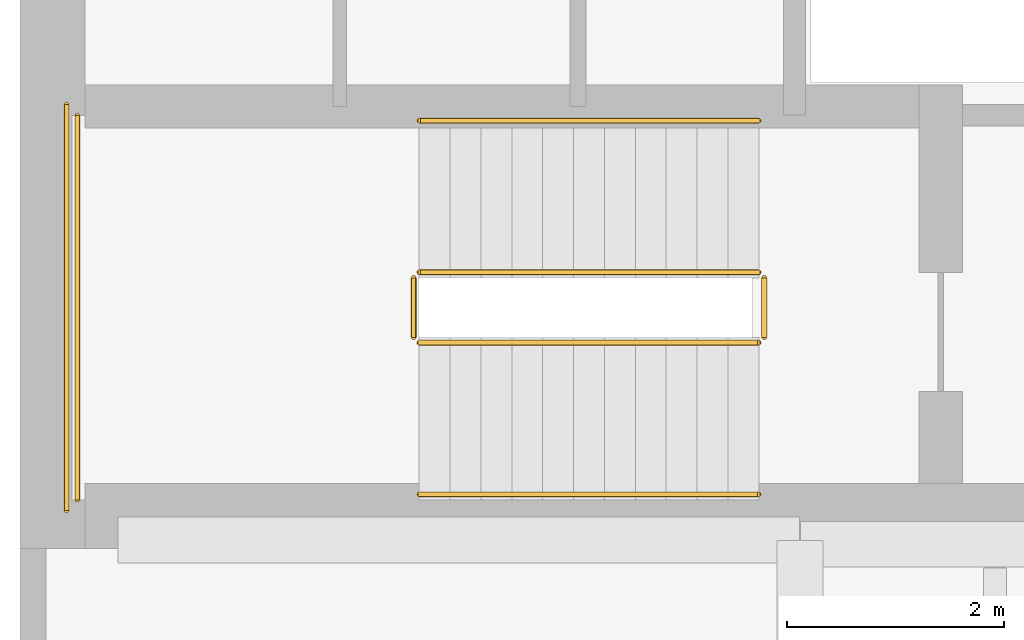
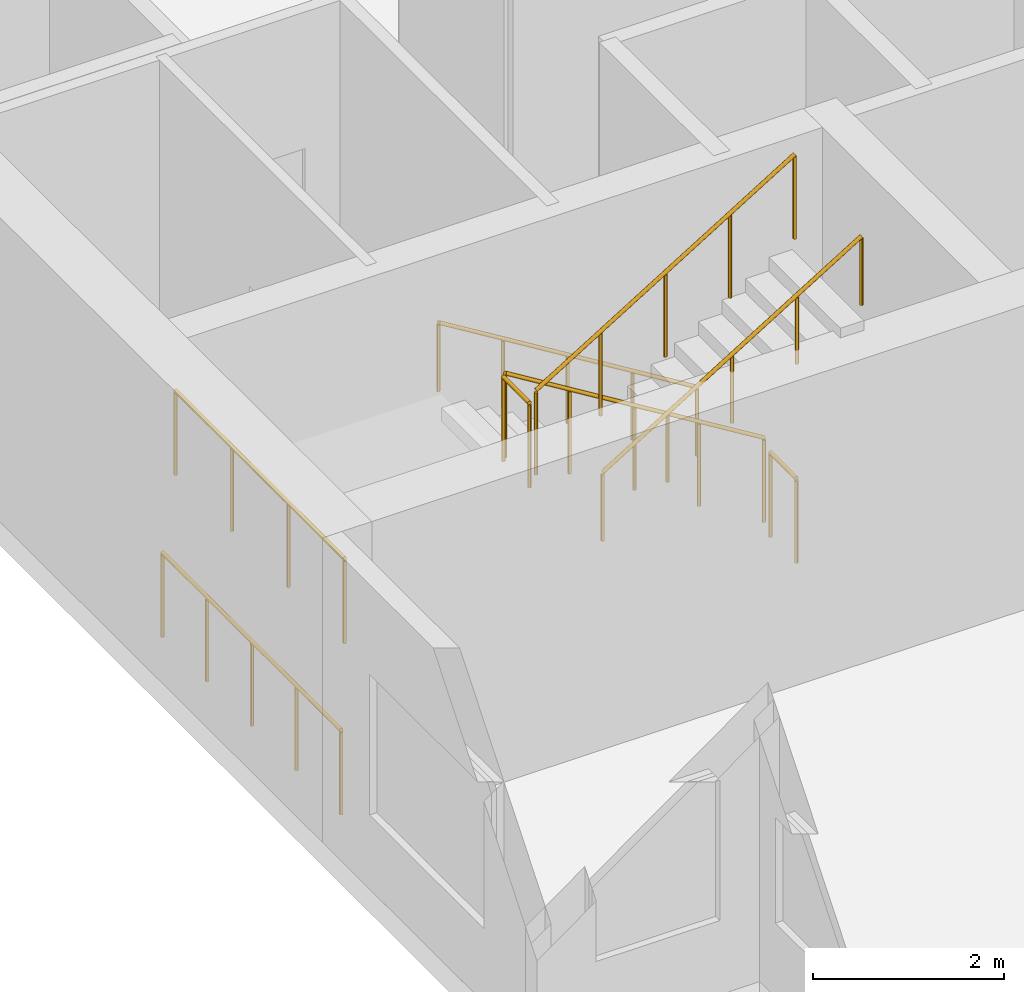
# One storey, part 27 of 31: 8 railings.
"""IFC4 building model written with IfcOpenShell, lengths in metres."""

from ifc_helpers import new_model, si_unit, direction, frame, origin, origin_2d, place, context, subcontext, project, spatial, circle, extrude, material, type_object, element, save


model = new_model("IFC4")

# Units and contexts
model_context = context("Model", 3, precision=1e-05, world=origin(), true_north=direction((0.0, 1.0)))
body_context = subcontext(model_context, "Body", "Model", "MODEL_VIEW")
ifc_project = project(units=[si_unit("LENGTHUNIT", "METRE"), si_unit("AREAUNIT", "SQUARE_METRE"), si_unit("VOLUMEUNIT", "CUBIC_METRE"), si_unit("PLANEANGLEUNIT", "RADIAN"), si_unit("MASSUNIT", "GRAM", prefix="KILO")], contexts=[model_context])

# Site, building, storey
site_placement = place(None, origin())
site = spatial("IfcSite", under=ifc_project, at=site_placement, CompositionType="ELEMENT")
building_placement = place(site_placement, origin())
building = spatial("IfcBuilding", under=site, at=building_placement, Name="Cobrela Telecom Tower", CompositionType="ELEMENT")
storey_placement = place(building_placement, frame((0.0, 0.0, 9.449951171875)))
storey = spatial("IfcBuildingStorey", under=building, at=storey_placement, Name="L02", CompositionType="ELEMENT", Elevation=9.449951171875)

# Railings
ifc_material = material(Name="Steel ASTM A36", Category="steel")
railing_type_1 = type_object("IfcRailingType", Name="RAIL-GUARD-1100", PredefinedType="GUARDRAIL", material=ifc_material)
railing_1_placement = place(storey_placement, frame((6.820068359375, 9.75, 0.175048828125)))
element("IfcRailing", 1, at=railing_1_placement, inside=storey, type_object=railing_type_1, Name="L02 ST2 stair guard 1", PredefinedType="GUARDRAIL", context=body_context, shape_type="SweptSolid", body=[
    extrude(circle(Radius=0.02392578125, at=origin_2d()), frame((0.0, 0.0, 1.076171875), z_axis=(-0.852166034122, 0.0, 0.523271488128), x_axis=(0.0, -1.0, 0.0)), (0.0, 0.0, 1.0), 3.678955078125),
    extrude(circle(Radius=0.02099609375, at=origin_2d()), origin(), (0.0, 0.0, 1.0), 1.052001953125),
    extrude(circle(Radius=0.02099609375, at=origin_2d()), frame((-0.78369140625, 0.0, 0.481201171875)), (0.0, 0.0, 1.0), 1.052001953125),
    extrude(circle(Radius=0.02099609375, at=origin_2d()), frame((-1.5673828125, 0.0, 0.96240234375)), (0.0, 0.0, 1.0), 1.052001953125),
    extrude(circle(Radius=0.02099609375, at=origin_2d()), frame((-2.351318359375, 0.0, 1.44384765625)), (0.0, 0.0, 1.0), 1.052001953125),
    extrude(circle(Radius=0.02099609375, at=origin_2d()), frame((-3.135009765625, 0.0, 1.925048828125)), (0.0, 0.0, 1.0), 1.052001953125),
])
railing_2_placement = place(storey_placement, frame((3.635009765625, 9.699951171875, 2.10009765625)))
element("IfcRailing", 2, at=railing_2_placement, inside=storey, type_object=railing_type_1, Name="L02 ST2 stair guard 2", PredefinedType="GUARDRAIL", context=body_context, shape_type="SweptSolid", body=[
    extrude(circle(Radius=0.02392578125, at=origin_2d()), frame((0.0, 0.0, 1.076171875), z_axis=(0.0, -1.0, 0.0), x_axis=(1.0, 0.0, 0.0)), (0.0, 0.0, 1.0), 0.550048828125),
    extrude(circle(Radius=0.02099609375, at=origin_2d()), origin(), (0.0, 0.0, 1.0), 1.052001953125),
    extrude(circle(Radius=0.02099609375, at=origin_2d()), frame((0.0, -0.550048828125, 0.0)), (0.0, 0.0, 1.0), 1.052001953125),
])
railing_3_placement = place(storey_placement, frame((0.530029296875, 11.199951171875, 2.10009765625)))
element("IfcRailing", 3, at=railing_3_placement, inside=storey, type_object=railing_type_1, Name="L02 ST2 stair guard 3", PredefinedType="GUARDRAIL", context=body_context, shape_type="SweptSolid", body=[
    extrude(circle(Radius=0.02392578125, at=origin_2d()), frame((0.0, 0.0, 1.076171875), z_axis=(0.0, -1.0, 0.0), x_axis=(1.0, 0.0, 0.0)), (0.0, 0.0, 1.0), 3.550048828125),
    extrude(circle(Radius=0.02099609375, at=origin_2d()), origin(), (0.0, 0.0, 1.0), 1.052001953125),
    extrude(circle(Radius=0.02099609375, at=origin_2d()), frame((0.0, -1.183349609375, 0.0)), (0.0, 0.0, 1.0), 1.052001953125),
    extrude(circle(Radius=0.02099609375, at=origin_2d()), frame((0.0, -2.36669921875, 0.0)), (0.0, 0.0, 1.0), 1.052001953125),
    extrude(circle(Radius=0.02099609375, at=origin_2d()), frame((0.0, -3.550048828125, 0.0)), (0.0, 0.0, 1.0), 1.052001953125),
])
railing_4_placement = place(storey_placement, frame((3.68505859375, 9.10009765625, 2.275146484375)))
element("IfcRailing", 4, at=railing_4_placement, inside=storey, type_object=railing_type_1, Name="L02 ST2 stair guard 4", PredefinedType="GUARDRAIL", context=body_context, shape_type="SweptSolid", body=[
    extrude(circle(Radius=0.02392578125, at=origin_2d()), frame((0.0, 0.0, 1.076171875), z_axis=(0.852195625947, 0.0, 0.523223293744), x_axis=(0.0, 1.0, 0.0)), (0.0, 0.0, 1.0), 3.6787109375),
    extrude(circle(Radius=0.02099609375, at=origin_2d()), origin(), (0.0, 0.0, 1.0), 1.052001953125),
    extrude(circle(Radius=0.02099609375, at=origin_2d()), frame((0.78369140625, 0.0, 0.481201171875)), (0.0, 0.0, 1.0), 1.052001953125),
    extrude(circle(Radius=0.02099609375, at=origin_2d()), frame((1.5673828125, 0.0, 0.96240234375)), (0.0, 0.0, 1.0), 1.052001953125),
    extrude(circle(Radius=0.02099609375, at=origin_2d()), frame((2.351318359375, 0.0, 1.443603515625)), (0.0, 0.0, 1.0), 1.052001953125),
    extrude(circle(Radius=0.02099609375, at=origin_2d()), frame((3.135009765625, 0.0, 1.9248046875)), (0.0, 0.0, 1.0), 1.052001953125),
])
railing_5_placement = place(storey_placement, frame((6.8701171875, 9.699951171875, 0.0)))
element("IfcRailing", 5, at=railing_5_placement, inside=storey, type_object=railing_type_1, Name="L02 ST2 stair guard 5", PredefinedType="GUARDRAIL", context=body_context, shape_type="SweptSolid", body=[
    extrude(circle(Radius=0.02392578125, at=origin_2d()), frame((0.0, 0.0, 1.076171875), z_axis=(0.0, -1.0, 0.0), x_axis=(1.0, 0.0, 0.0)), (0.0, 0.0, 1.0), 0.550048828125),
    extrude(circle(Radius=0.02099609375, at=origin_2d()), origin(), (0.0, 0.0, 1.0), 1.052001953125),
    extrude(circle(Radius=0.02099609375, at=origin_2d()), frame((0.0, -0.550048828125, 0.0)), (0.0, 0.0, 1.0), 1.052001953125),
])
railing_6_placement = place(storey_placement, frame((0.429931640625, 11.300048828125, 0.0)))
element("IfcRailing", 6, at=railing_6_placement, inside=storey, type_object=railing_type_1, Name="L02 ST2 stair guard 6", PredefinedType="GUARDRAIL", context=body_context, shape_type="SweptSolid", body=[
    extrude(circle(Radius=0.02392578125, at=origin_2d()), frame((0.0, 0.0, 1.076171875), z_axis=(0.0, -1.0, 0.0), x_axis=(1.0, 0.0, 0.0)), (0.0, 0.0, 1.0), 3.75),
    extrude(circle(Radius=0.02099609375, at=origin_2d()), origin(), (0.0, 0.0, 1.0), 1.052001953125),
    extrude(circle(Radius=0.02099609375, at=origin_2d()), frame((0.0, -0.9375, 0.0)), (0.0, 0.0, 1.0), 1.052001953125),
    extrude(circle(Radius=0.02099609375, at=origin_2d()), frame((0.0, -1.875, 0.0)), (0.0, 0.0, 1.0), 1.052001953125),
    extrude(circle(Radius=0.02099609375, at=origin_2d()), frame((0.0, -2.8125, 0.0)), (0.0, 0.0, 1.0), 1.052001953125),
    extrude(circle(Radius=0.02099609375, at=origin_2d()), frame((0.0, -3.75, 0.0)), (0.0, 0.0, 1.0), 1.052001953125),
])
railing_type_2 = type_object("IfcRailingType", Name="RAIL-HAND-920", PredefinedType="HANDRAIL", material=ifc_material)
railing_7_placement = place(storey_placement, frame((6.820068359375, 11.14990234375, 0.175048828125)))
element("IfcRailing", 7, at=railing_7_placement, inside=storey, type_object=railing_type_2, Name="L02 ST2 stair handrail 1", PredefinedType="HANDRAIL", context=body_context, shape_type="SweptSolid", body=[
    extrude(circle(Radius=0.02392578125, at=origin_2d()), frame((0.0, 0.0, 0.8759765625), z_axis=(-0.852166034122, 0.0, 0.523271488128), x_axis=(0.0, -1.0, 0.0)), (0.0, 0.0, 1.0), 3.678955078125),
    extrude(circle(Radius=0.02099609375, at=origin_2d()), origin(), (0.0, 0.0, 1.0), 0.851806640625),
    extrude(circle(Radius=0.02099609375, at=origin_2d()), frame((-0.78369140625, 0.0, 0.481201171875)), (0.0, 0.0, 1.0), 0.851806640625),
    extrude(circle(Radius=0.02099609375, at=origin_2d()), frame((-1.5673828125, 0.0, 0.96240234375)), (0.0, 0.0, 1.0), 0.851806640625),
    extrude(circle(Radius=0.02099609375, at=origin_2d()), frame((-2.351318359375, 0.0, 1.44384765625)), (0.0, 0.0, 1.0), 0.851806640625),
    extrude(circle(Radius=0.02099609375, at=origin_2d()), frame((-3.135009765625, 0.0, 1.925048828125)), (0.0, 0.0, 1.0), 0.851806640625),
])
railing_8_placement = place(storey_placement, frame((3.68505859375, 7.699951171875, 2.275146484375)))
element("IfcRailing", 8, at=railing_8_placement, inside=storey, type_object=railing_type_2, Name="L02 ST2 stair handrail 2", PredefinedType="HANDRAIL", context=body_context, shape_type="SweptSolid", body=[
    extrude(circle(Radius=0.02392578125, at=origin_2d()), frame((0.0, 0.0, 0.8759765625), z_axis=(0.852195625947, 0.0, 0.523223293744), x_axis=(0.0, 1.0, 0.0)), (0.0, 0.0, 1.0), 3.6787109375),
    extrude(circle(Radius=0.02099609375, at=origin_2d()), origin(), (0.0, 0.0, 1.0), 0.851806640625),
    extrude(circle(Radius=0.02099609375, at=origin_2d()), frame((0.78369140625, 0.0, 0.481201171875)), (0.0, 0.0, 1.0), 0.851806640625),
    extrude(circle(Radius=0.02099609375, at=origin_2d()), frame((1.5673828125, 0.0, 0.96240234375)), (0.0, 0.0, 1.0), 0.851806640625),
    extrude(circle(Radius=0.02099609375, at=origin_2d()), frame((2.351318359375, 0.0, 1.443603515625)), (0.0, 0.0, 1.0), 0.851806640625),
    extrude(circle(Radius=0.02099609375, at=origin_2d()), frame((3.135009765625, 0.0, 1.9248046875)), (0.0, 0.0, 1.0), 0.851806640625),
])

save(model, "model.ifc")
